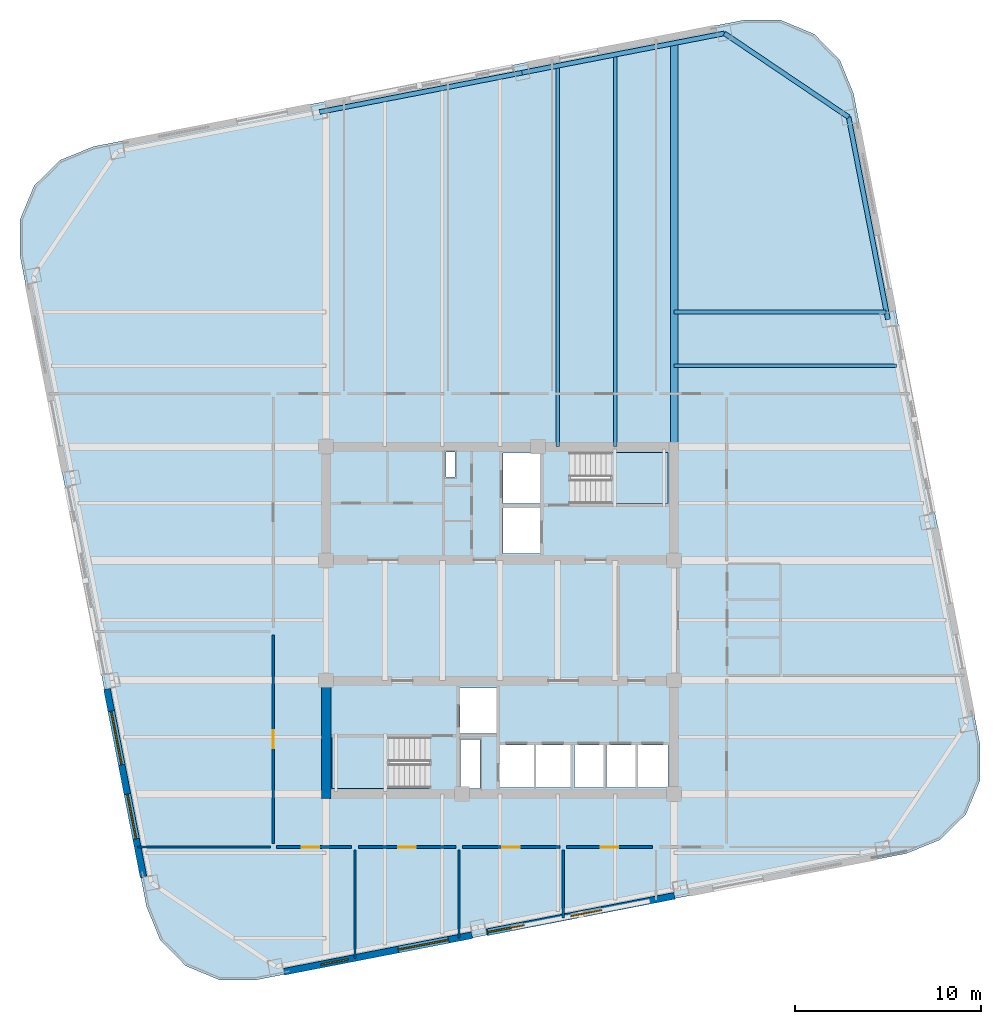
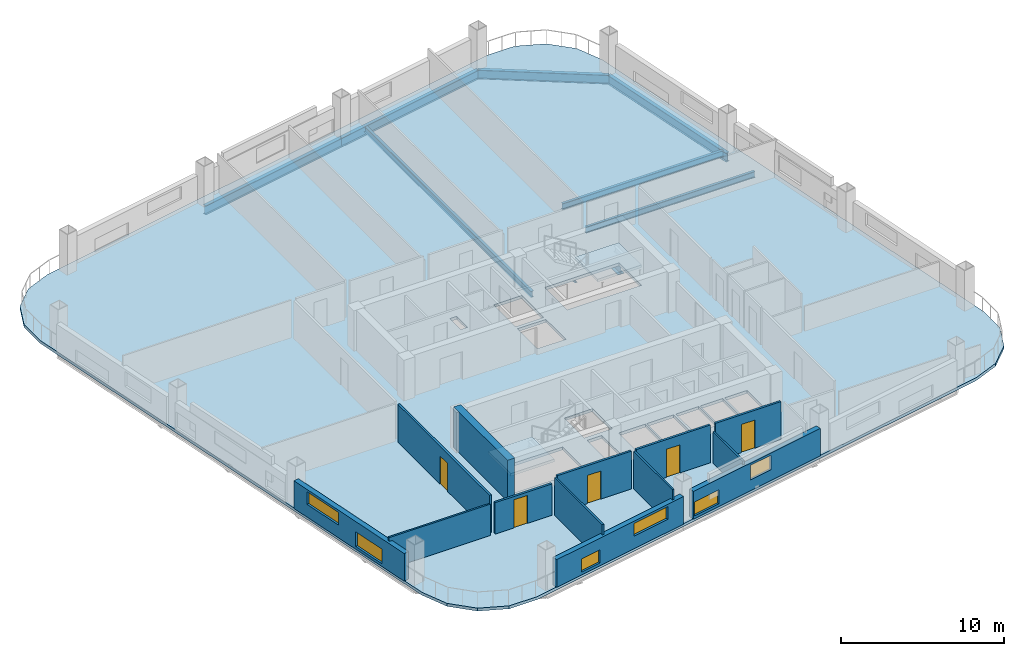
# One storey, part 2 of 9: 13 walls, 9 beams, 6 windows, 5 doors, 3 slabs, 11 openings, 2 elements without a shape of their own.
"""IFC4 building model written with IfcOpenShell, lengths in metres."""

from ifc_helpers import new_model, si_unit, direction, frame, frame_2d, origin, origin_2d, place, context, subcontext, project, spatial, polyline, rectangle, i_section, outline, extrude, material, layer, layer_set, material_profile, profile_set, type_object, element, fill, aggregate, save


model = new_model("IFC4")

# Units and contexts
model_context = context("Model", 3, precision=1e-05, world=origin(), true_north=direction((0.0, 1.0)))
body_context = subcontext(model_context, "Body", "Model", "MODEL_VIEW")
ifc_project = project(units=[si_unit("LENGTHUNIT", "METRE"), si_unit("AREAUNIT", "SQUARE_METRE"), si_unit("VOLUMEUNIT", "CUBIC_METRE"), si_unit("PLANEANGLEUNIT", "RADIAN"), si_unit("MASSUNIT", "GRAM", prefix="KILO")], contexts=[model_context])

# Site, building, storey
site_placement = place(None, origin())
site = spatial("IfcSite", under=ifc_project, at=site_placement, CompositionType="ELEMENT")
building_placement = place(site_placement, origin())
building = spatial("IfcBuilding", under=site, at=building_placement, Name="Qhalaya Broadcast Tower", CompositionType="ELEMENT")
storey_placement = place(building_placement, frame((0.0, 0.0, 121.949951171875)))
storey = spatial("IfcBuildingStorey", under=building, at=storey_placement, Name="L35", CompositionType="ELEMENT", Elevation=121.949951171875)

# Beams
ifc_material_1 = material(Name="Structural Steel ASTM A992 Grade 50", Category="steel")
ifc_material_profile_1 = material_profile(ifc_material_1, i_section(OverallWidth=0.19189453125, OverallDepth=0.462890625, WebThickness=0.010498046875, FlangeThickness=0.017578125, at=origin_2d()), Name="W18X60")
ifc_profile_set_1 = profile_set([ifc_material_profile_1], Name="Structural Steel ASTM A992 Grade 50")
beam_type_1 = type_object("IfcBeamType", Name="Composite Floor Joist J03", PredefinedType="JOIST", material=ifc_profile_set_1)
beam_1_placement = place(storey_placement, frame((3.10009765625, 9.949951171875, -0.451416015625), z_axis=(0.0, 1.0, 0.0), x_axis=(-1.0, 0.0, 0.0)))
element("IfcBeam", 1, at=beam_1_placement, inside=storey, type_object=beam_type_1, Name="L35 J03 L35-JNN4-1", PredefinedType="JOIST", context=body_context, shape_type="SweptSolid", body=[
    extrude(i_section(OverallWidth=0.19189453125, OverallDepth=0.462890625, WebThickness=0.010498046875, FlangeThickness=0.017578125, at=origin_2d()), origin(), (0.0, 0.0, 1.0), 20.480712890625),
])
beam_2_placement = place(storey_placement, frame((6.199951171875, 9.949951171875, -0.451416015625), z_axis=(0.0, 1.0, 0.0), x_axis=(-1.0, 0.0, 0.0)))
element("IfcBeam", 2, at=beam_2_placement, inside=storey, type_object=beam_type_1, Name="L35 J03 L35-JNN5-1", PredefinedType="JOIST", context=body_context, shape_type="SweptSolid", body=[
    extrude(i_section(OverallWidth=0.19189453125, OverallDepth=0.462890625, WebThickness=0.010498046875, FlangeThickness=0.017578125, at=origin_2d()), origin(), (0.0, 0.0, 1.0), 21.083251953125),
])
beam_3_placement = place(storey_placement, frame((9.375, 14.300048828125, -0.451416015625), z_axis=(1.0, 0.0, 0.0), x_axis=(0.0, 1.0, 0.0)))
element("IfcBeam", 3, at=beam_3_placement, inside=storey, type_object=beam_type_1, Name="L35 J03 L35-JWE6E-1", PredefinedType="JOIST", context=body_context, shape_type="SweptSolid", body=[
    extrude(i_section(OverallWidth=0.19189453125, OverallDepth=0.462890625, WebThickness=0.010498046875, FlangeThickness=0.017578125, at=origin_2d()), origin(), (0.0, 0.0, 1.0), 11.969482421875),
])
beam_4_placement = place(storey_placement, frame((9.375, 17.199951171875, -0.451416015625), z_axis=(1.0, 0.0, 0.0), x_axis=(0.0, 1.0, 0.0)))
element("IfcBeam", 4, at=beam_4_placement, inside=storey, type_object=beam_type_1, Name="L35 J03 L35-JWE7E-1", PredefinedType="JOIST", context=body_context, shape_type="SweptSolid", body=[
    extrude(i_section(OverallWidth=0.19189453125, OverallDepth=0.462890625, WebThickness=0.010498046875, FlangeThickness=0.017578125, at=origin_2d()), origin(), (0.0, 0.0, 1.0), 11.40576171875),
])
ifc_material_profile_2 = material_profile(ifc_material_1, i_section(OverallWidth=0.4189453125, OverallDepth=0.927001953125, WebThickness=0.019287109375, FlangeThickness=0.031982421875, at=origin_2d()), Name="W36X231")
ifc_profile_set_2 = profile_set([ifc_material_profile_2], Name="Structural Steel ASTM A992 Grade 50")
beam_type_2 = type_object("IfcBeamType", Name="Mid Block Primary Girder PG3", PredefinedType="USERDEFINED", material=ifc_profile_set_2)
beam_5_placement = place(storey_placement, frame((9.375, 9.949951171875, -0.683349609375), z_axis=(0.0, 1.0, 0.0), x_axis=(-1.0, 0.0, 0.0)))
element("IfcBeam", 5, at=beam_5_placement, inside=storey, type_object=beam_type_2, Name="L35 PG3 L35-PGXN2-1", ObjectType="GIRDER", PredefinedType="USERDEFINED", context=body_context, shape_type="SweptSolid", body=[
    extrude(i_section(OverallWidth=0.4189453125, OverallDepth=0.927001953125, WebThickness=0.019287109375, FlangeThickness=0.031982421875, at=origin_2d()), origin(), (0.0, 0.0, 1.0), 21.7001953125),
])
ifc_material_profile_3 = material_profile(ifc_material_1, i_section(OverallWidth=0.25390625, OverallDepth=0.68310546875, WebThickness=0.012451171875, FlangeThickness=0.01904296875, at=origin_2d()), Name="W27X94")
ifc_profile_set_3 = profile_set([ifc_material_profile_3], Name="Structural Steel ASTM A992 Grade 50")
beam_type_3 = type_object("IfcBeamType", Name="Perimeter Ring Spandrel Beam SP1", PredefinedType="SPANDREL", material=ifc_profile_set_3)
beam_6_placement = place(storey_placement, frame((20.88037109375, 16.79248046875, -0.5615234375), z_axis=(-0.190800781233, 0.98162878008, 0.0), x_axis=(-0.98162878008, -0.190800781233, 0.0)))
element("IfcBeam", 6, at=beam_6_placement, inside=storey, type_object=beam_type_3, Name="L35 SP1 L35-SPR-07", PredefinedType="SPANDREL", context=body_context, shape_type="SweptSolid", body=[
    extrude(i_section(OverallWidth=0.25390625, OverallDepth=0.68310546875, WebThickness=0.012451171875, FlangeThickness=0.01904296875, at=origin_2d()), origin(), (0.0, 0.0, 1.0), 11.10009765625),
])
beam_7_placement = place(storey_placement, frame((18.762451171875, 27.688720703125, -0.5615234375), z_axis=(-0.829042088473, 0.559186208288, 0.0), x_axis=(-0.559186208288, -0.829042088473, 0.0)))
element("IfcBeam", 7, at=beam_7_placement, inside=storey, type_object=beam_type_3, Name="L35 SP1 L35-SPR-08", PredefinedType="SPANDREL", context=body_context, shape_type="SweptSolid", body=[
    extrude(i_section(OverallWidth=0.25390625, OverallDepth=0.68310546875, WebThickness=0.012451171875, FlangeThickness=0.01904296875, at=origin_2d()), origin(), (0.0, 0.0, 1.0), 8.06103515625),
])
beam_8_placement = place(storey_placement, frame((12.07958984375, 32.1962890625, -0.5615234375), z_axis=(-0.98162878008, -0.190800781233, 0.0), x_axis=(0.190800781233, -0.98162878008, 0.0)))
element("IfcBeam", 8, at=beam_8_placement, inside=storey, type_object=beam_type_3, Name="L35 SP1 L35-SPR-09", PredefinedType="SPANDREL", context=body_context, shape_type="SweptSolid", body=[
    extrude(i_section(OverallWidth=0.25390625, OverallDepth=0.68310546875, WebThickness=0.012451171875, FlangeThickness=0.01904296875, at=origin_2d()), origin(), (0.0, 0.0, 1.0), 11.10009765625),
])
beam_9_placement = place(storey_placement, frame((1.183349609375, 30.078369140625, -0.5615234375), z_axis=(-0.981627979352, -0.190804900759, 0.0), x_axis=(0.190804900759, -0.981627979352, 0.0)))
element("IfcBeam", 9, at=beam_9_placement, inside=storey, type_object=beam_type_3, Name="L35 SP1 L35-SPR-10", PredefinedType="SPANDREL", context=body_context, shape_type="SweptSolid", body=[
    extrude(i_section(OverallWidth=0.25390625, OverallDepth=0.68310546875, WebThickness=0.012451171875, FlangeThickness=0.01904296875, at=origin_2d()), origin(), (0.0, 0.0, 1.0), 11.099853515625),
])

# Stair, slab
ifc_material_2 = material(Name="Concrete C40/50", Category="concrete")
stair_type = type_object("IfcStairType", Name="Protected Dogleg Core Stair 3150", PredefinedType="TWO_STRAIGHT_RUN_STAIR", material=ifc_material_2)
stair_1_placement = place(storey_placement, origin())
stair_1 = element("IfcStair", 10, at=stair_1_placement, inside=storey, type_object=stair_type, Name="L35 North Core Exit Stair ST-1", PredefinedType="TWO_STRAIGHT_RUN_STAIR")
ifc_layer_1 = layer(ifc_material_2, 0.199951171875, Name="Concrete C40/50")
ifc_layer_set_1 = layer_set([ifc_layer_1], Name="Concrete C40/50")
slab_type_1 = type_object("IfcSlabType", Name="Stair & Ramp Half-Landing Slab 200", PredefinedType="LANDING", material=ifc_layer_set_1)
slab_1_placement = place(storey_placement, frame((0.0, 0.0, 1.324951171875)))
slab_1 = element("IfcSlab", 11, at=slab_1_placement, type_object=slab_type_1, Name="ST-1 landing 1", PredefinedType="LANDING", context=body_context, shape_type="SweptSolid", body=[
    extrude(outline(polyline([(5.955078125, 6.8798828125), (9.050048828125, 6.8798828125), (9.050048828125, 9.639892578125), (5.955078125, 9.639892578125), (5.955078125, 6.8798828125)])), origin(), (0.0, 0.0, 1.0), 0.2001953125),
])
aggregate(stair_1, [slab_1])

stair_2_placement = place(storey_placement, origin())
stair_2 = element("IfcStair", 12, at=stair_2_placement, inside=storey, type_object=stair_type, Name="L35 South Core Exit Stair ST-2", PredefinedType="TWO_STRAIGHT_RUN_STAIR")
slab_2_placement = place(storey_placement, frame((0.0, 0.0, 1.324951171875)))
slab_2 = element("IfcSlab", 13, at=slab_2_placement, type_object=slab_type_1, Name="ST-2 landing 1", PredefinedType="LANDING", context=body_context, shape_type="SweptSolid", body=[
    extrude(outline(polyline([(-5.955078125, -5.679931640625), (-9.050048828125, -5.679931640625), (-9.050048828125, -8.43994140625), (-5.955078125, -8.43994140625), (-5.955078125, -5.679931640625)])), origin(), (0.0, 0.0, 1.0), 0.2001953125),
])
aggregate(stair_2, [slab_2])

# Slab
ifc_layer_2 = layer(ifc_material_2, 0.219970703125, Name="Concrete C40/50")
ifc_layer_set_2 = layer_set([ifc_layer_2], Name="Concrete C40/50")
slab_type_2 = type_object("IfcSlabType", Name="Tower Composite Floor Slab 220", PredefinedType="FLOOR", material=ifc_layer_set_2)
slab_3_placement = place(storey_placement, frame((0.0, 0.0, -0.219970703125)))
element("IfcSlab", 14, at=slab_3_placement, inside=storey, type_object=slab_type_2, Name="L35 Main Structural Floor Slab", PredefinedType="FLOOR", context=body_context, shape_type="SweptSolid", body=[
    extrude(outline(polyline([(21.882080078125, -11.944091796875), (23.687744140625, -11.20556640625), (25.0732421875, -9.83203125), (25.82763671875, -8.032958984375), (25.836181640625, -6.08203125), (19.024169921875, 28.9619140625), (18.285400390625, 30.767578125), (16.912109375, 32.1533203125), (15.11279296875, 32.90771484375), (13.162109375, 32.916015625), (-21.882080078125, 26.104248046875), (-23.687744140625, 25.365478515625), (-25.0732421875, 23.9921875), (-25.82763671875, 22.19287109375), (-25.836181640625, 20.2421875), (-19.024169921875, -14.802001953125), (-18.285400390625, -16.607666015625), (-16.912109375, -17.9931640625), (-15.11279296875, -18.74755859375), (-13.162109375, -18.756103515625), (21.882080078125, -11.944091796875)]), holes=[polyline([(3.784912109375, 9.639892578125), (9.050048828125, 9.639892578125), (9.050048828125, 6.8798828125), (3.784912109375, 6.8798828125), (3.784912109375, 9.639892578125)]), polyline([(-3.784912109375, -8.43994140625), (-9.050048828125, -8.43994140625), (-9.050048828125, -5.679931640625), (-3.784912109375, -5.679931640625), (-3.784912109375, -8.43994140625)]), polyline([(0.14990234375, 6.64990234375), (2.14990234375, 6.64990234375), (2.14990234375, 4.199951171875), (0.14990234375, 4.199951171875), (0.14990234375, 6.64990234375)]), polyline([(0.14990234375, 9.60009765625), (2.14990234375, 9.60009765625), (2.14990234375, 6.89990234375), (0.14990234375, 6.89990234375), (0.14990234375, 9.60009765625)]), polyline([(-2.14990234375, -3.050048828125), (-0.14990234375, -3.050048828125), (-0.14990234375, -5.5), (-2.14990234375, -5.5), (-2.14990234375, -3.050048828125)]), polyline([(-0.050048828125, -6.10009765625), (1.830078125, -6.10009765625), (1.830078125, -8.39990234375), (-0.050048828125, -8.39990234375), (-0.050048828125, -6.10009765625)]), polyline([(1.949951171875, -6.10009765625), (3.830078125, -6.10009765625), (3.830078125, -8.39990234375), (1.949951171875, -8.39990234375), (1.949951171875, -6.10009765625)]), polyline([(4.0, -6.10009765625), (5.60009765625, -6.10009765625), (5.60009765625, -8.39990234375), (4.0, -8.39990234375), (4.0, -6.10009765625)]), polyline([(5.719970703125, -6.10009765625), (7.320068359375, -6.10009765625), (7.320068359375, -8.39990234375), (5.719970703125, -8.39990234375), (5.719970703125, -6.10009765625)]), polyline([(7.43994140625, -6.10009765625), (9.0400390625, -6.10009765625), (9.0400390625, -8.39990234375), (7.43994140625, -8.39990234375), (7.43994140625, -6.10009765625)]), polyline([(-2.919921875, 9.659912109375), (-2.419921875, 9.659912109375), (-2.419921875, 8.320068359375), (-2.919921875, 8.320068359375), (-2.919921875, 9.659912109375)]), polyline([(-2.1201171875, -5.820068359375), (-1.080078125, -5.820068359375), (-1.080078125, -8.4599609375), (-2.1201171875, -8.4599609375), (-2.1201171875, -5.820068359375)])]), origin(), (0.0, 0.0, 1.0), 0.219970703125),
])

# Wall, opening, door
ifc_material_3 = material(Name="Gypsum Acoustic Partition")
ifc_layer_3 = layer(ifc_material_3, 0.14990234375, Name="Gypsum Acoustic Partition")
ifc_layer_set_3 = layer_set([ifc_layer_3], Name="Gypsum Acoustic Partition")
wall_type_1 = type_object("IfcWallType", Name="Corridor & Tenancy Acoustic Partition 150", PredefinedType="PARTITIONING", material=ifc_layer_set_3)
wall_1_placement = place(storey_placement, frame((-12.02001953125, -11.60009765625, 0.0), z_axis=(0.0, 0.0, 1.0), x_axis=(1.0, 0.0, 0.0)))
wall_1 = element("IfcWall", 15, at=wall_1_placement, inside=storey, type_object=wall_type_1, Name="L35 Partition Wall W-COR-06", PredefinedType="PARTITIONING", context=body_context, shape_type="SweptSolid", body=[
    extrude(rectangle(XDim=4.0400390625, YDim=0.14990234375, at=frame_2d((2.02001953125, 0.0))), origin(), (0.0, 0.0, 1.0), 2.34716796875),
])
opening_1_placement = place(wall_1_placement, frame((1.344970703125, 0.0, 0.0)))
opening_1 = element("IfcOpeningElement", 16, at=opening_1_placement, cuts=wall_1, Name="Opening D10", PredefinedType="OPENING", context=body_context, shape_type="SweptSolid", body=[
    extrude(rectangle(XDim=0.949951171875, YDim=2.10009765625, at=frame_2d((0.47509765625, 1.050048828125))), frame((0.0, 0.0869140625, 0.0), z_axis=(0.0, -1.0, 0.0), x_axis=(1.0, 0.0, 0.0)), (0.0, 0.0, 1.0), 0.173828125),
])
ifc_material_4 = material(Name="Timber Veneer Acoustic Door", Category="wood")
door_type = type_object("IfcDoorType", Name="Cellular Office & Edit Booth Door D10", OperationType="NOTDEFINED", PredefinedType="DOOR", material=ifc_material_4)
door_1_placement = place(opening_1_placement, origin())
door_1 = element("IfcDoor", 17, at=door_1_placement, inside=storey, type_object=door_type, Name="L35 Door D-RM06", OperationType="SINGLE_SWING_RIGHT", OverallHeight=2.10009765625, OverallWidth=0.949951171875, PredefinedType="DOOR", context=body_context, shape_type="SweptSolid", body=[
    extrude(rectangle(XDim=0.949951171875, YDim=2.10009765625, at=frame_2d((0.47509765625, 1.050048828125))), frame((0.0, 0.02490234375, 0.0), z_axis=(0.0, -1.0, 0.0), x_axis=(1.0, 0.0, 0.0)), (0.0, 0.0, 1.0), 0.050048828125),
])
fill(opening_1, door_1)

wall_2_placement = place(storey_placement, frame((-7.6201171875, -11.60009765625, 0.0), z_axis=(0.0, 0.0, 1.0), x_axis=(1.0, 0.0, 0.0)))
wall_2 = element("IfcWall", 18, at=wall_2_placement, inside=storey, type_object=wall_type_1, Name="L35 Partition Wall W-COR-07", PredefinedType="PARTITIONING", context=body_context, shape_type="SweptSolid", body=[
    extrude(rectangle(XDim=5.240234375, YDim=0.14990234375, at=frame_2d((2.6201171875, 0.0))), origin(), (0.0, 0.0, 1.0), 2.830078125),
])
opening_2_placement = place(wall_2_placement, frame((2.14501953125, 0.0, 0.0)))
opening_2 = element("IfcOpeningElement", 19, at=opening_2_placement, cuts=wall_2, Name="Opening D10", PredefinedType="OPENING", context=body_context, shape_type="SweptSolid", body=[
    extrude(rectangle(XDim=0.949951171875, YDim=2.10009765625, at=frame_2d((0.47509765625, 1.050048828125))), frame((0.0, 0.0869140625, 0.0), z_axis=(0.0, -1.0, 0.0), x_axis=(1.0, 0.0, 0.0)), (0.0, 0.0, 1.0), 0.173828125),
])
door_2_placement = place(opening_2_placement, origin())
door_2 = element("IfcDoor", 20, at=door_2_placement, inside=storey, type_object=door_type, Name="L35 Door D-RM07", OperationType="SINGLE_SWING_LEFT", OverallHeight=2.10009765625, OverallWidth=0.949951171875, PredefinedType="DOOR", context=body_context, shape_type="SweptSolid", body=[
    extrude(rectangle(XDim=0.949951171875, YDim=2.10009765625, at=frame_2d((0.47509765625, 1.050048828125))), frame((0.0, 0.02490234375, 0.0), z_axis=(0.0, -1.0, 0.0), x_axis=(1.0, 0.0, 0.0)), (0.0, 0.0, 1.0), 0.050048828125),
])
fill(opening_2, door_2)

wall_3_placement = place(storey_placement, frame((-2.02001953125, -11.60009765625, 0.0), z_axis=(0.0, 0.0, 1.0), x_axis=(1.0, 0.0, 0.0)))
wall_3 = element("IfcWall", 21, at=wall_3_placement, inside=storey, type_object=wall_type_1, Name="L35 Partition Wall W-COR-08", PredefinedType="PARTITIONING", context=body_context, shape_type="SweptSolid", body=[
    extrude(rectangle(XDim=5.239990234375, YDim=0.14990234375, at=frame_2d((2.6201171875, 0.0))), origin(), (0.0, 0.0, 1.0), 2.830078125),
])
opening_3_placement = place(wall_3_placement, frame((2.14501953125, 0.0, 0.0)))
opening_3 = element("IfcOpeningElement", 22, at=opening_3_placement, cuts=wall_3, Name="Opening D10", PredefinedType="OPENING", context=body_context, shape_type="SweptSolid", body=[
    extrude(rectangle(XDim=0.949951171875, YDim=2.10009765625, at=frame_2d((0.47509765625, 1.050048828125))), frame((0.0, 0.0869140625, 0.0), z_axis=(0.0, -1.0, 0.0), x_axis=(1.0, 0.0, 0.0)), (0.0, 0.0, 1.0), 0.173828125),
])
door_3_placement = place(opening_3_placement, origin())
door_3 = element("IfcDoor", 23, at=door_3_placement, inside=storey, type_object=door_type, Name="L35 Door D-RM08", OperationType="SINGLE_SWING_RIGHT", OverallHeight=2.10009765625, OverallWidth=0.949951171875, PredefinedType="DOOR", context=body_context, shape_type="SweptSolid", body=[
    extrude(rectangle(XDim=0.949951171875, YDim=2.10009765625, at=frame_2d((0.47509765625, 1.050048828125))), frame((0.0, 0.02490234375, 0.0), z_axis=(0.0, -1.0, 0.0), x_axis=(1.0, 0.0, 0.0)), (0.0, 0.0, 1.0), 0.050048828125),
])
fill(opening_3, door_3)

wall_4_placement = place(storey_placement, frame((3.580078125, -11.60009765625, 0.0), z_axis=(0.0, 0.0, 1.0), x_axis=(1.0, 0.0, 0.0)))
wall_4 = element("IfcWall", 24, at=wall_4_placement, inside=storey, type_object=wall_type_1, Name="L35 Partition Wall W-COR-09", PredefinedType="PARTITIONING", context=body_context, shape_type="SweptSolid", body=[
    extrude(rectangle(XDim=4.639892578125, YDim=0.14990234375, at=frame_2d((2.31982421875, 0.0))), origin(), (0.0, 0.0, 1.0), 2.830078125),
])
opening_4_placement = place(wall_4_placement, frame((1.844970703125, 0.0, 0.0)))
opening_4 = element("IfcOpeningElement", 25, at=opening_4_placement, cuts=wall_4, Name="Opening D10", PredefinedType="OPENING", context=body_context, shape_type="SweptSolid", body=[
    extrude(rectangle(XDim=0.949951171875, YDim=2.10009765625, at=frame_2d((0.47509765625, 1.050048828125))), frame((0.0, 0.0869140625, 0.0), z_axis=(0.0, -1.0, 0.0), x_axis=(1.0, 0.0, 0.0)), (0.0, 0.0, 1.0), 0.173828125),
])
door_4_placement = place(opening_4_placement, origin())
door_4 = element("IfcDoor", 26, at=door_4_placement, inside=storey, type_object=door_type, Name="L35 Door D-RM09", OperationType="SINGLE_SWING_LEFT", OverallHeight=2.10009765625, OverallWidth=0.949951171875, PredefinedType="DOOR", context=body_context, shape_type="SweptSolid", body=[
    extrude(rectangle(XDim=0.949951171875, YDim=2.10009765625, at=frame_2d((0.47509765625, 1.050048828125))), frame((0.0, 0.02490234375, 0.0), z_axis=(0.0, -1.0, 0.0), x_axis=(1.0, 0.0, 0.0)), (0.0, 0.0, 1.0), 0.050048828125),
])
fill(opening_4, door_4)

wall_5_placement = place(storey_placement, frame((-12.199951171875, -11.419921875, 0.0), z_axis=(0.0, 0.0, 1.0), x_axis=(0.0, 1.0, 0.0)))
wall_5 = element("IfcWall", 27, at=wall_5_placement, inside=storey, type_object=wall_type_1, Name="L35 Partition Wall W-COR-11", PredefinedType="PARTITIONING", context=body_context, shape_type="SweptSolid", body=[
    extrude(rectangle(XDim=11.239990234375, YDim=0.14990234375, at=frame_2d((5.6201171875, 0.0))), origin(), (0.0, 0.0, 1.0), 2.830078125),
])
opening_5_placement = place(wall_5_placement, frame((5.14501953125, 0.0, 0.0)))
opening_5 = element("IfcOpeningElement", 28, at=opening_5_placement, cuts=wall_5, Name="Opening D10", PredefinedType="OPENING", context=body_context, shape_type="SweptSolid", body=[
    extrude(rectangle(XDim=0.949951171875, YDim=2.10009765625, at=frame_2d((0.47509765625, 1.050048828125))), frame((0.0, 0.0869140625, 0.0), z_axis=(0.0, -1.0, 0.0), x_axis=(1.0, 0.0, 0.0)), (0.0, 0.0, 1.0), 0.173828125),
])
door_5_placement = place(opening_5_placement, origin())
door_5 = element("IfcDoor", 29, at=door_5_placement, inside=storey, type_object=door_type, Name="L35 Door D-RM11", OperationType="SINGLE_SWING_LEFT", OverallHeight=2.10009765625, OverallWidth=0.949951171875, PredefinedType="DOOR", context=body_context, shape_type="SweptSolid", body=[
    extrude(rectangle(XDim=0.949951171875, YDim=2.10009765625, at=frame_2d((0.47509765625, 1.050048828125))), frame((0.0, 0.02490234375, 0.0), z_axis=(0.0, -1.0, 0.0), x_axis=(1.0, 0.0, 0.0)), (0.0, 0.0, 1.0), 0.050048828125),
])
fill(opening_5, door_5)

# Wall, openings, windows
ifc_material_5 = material(Name="Precast Concrete C40/50", Category="concrete")
ifc_layer_4 = layer(ifc_material_5, 0.360107421875, Name="Precast Concrete C40/50")
ifc_layer_set_4 = layer_set([ifc_layer_4], Name="Precast Concrete C40/50")
wall_type_2 = type_object("IfcWallType", Name="Insulated Precast Terracotta Exterior Wall 360", PredefinedType="SOLIDWALL", material=ifc_layer_set_4)
wall_6_placement = place(storey_placement, frame((9.388671875, -14.22998046875, 0.0), z_axis=(0.0, 0.0, 1.0), x_axis=(-0.981627477005, -0.190807485147, 0.0)))
wall_6 = element("IfcWall", 30, at=wall_6_placement, inside=storey, type_object=wall_type_2, Name="L35 Exoskeleton Diagrid Infill Wall S2", PredefinedType="SOLIDWALL", context=body_context, shape_type="SweptSolid", body=[
    extrude(rectangle(XDim=10.300048828125, YDim=0.360107421875, at=frame_2d((5.14990234375, 0.0))), origin(), (0.0, 0.0, 1.0), 2.067138671875),
])
opening_6_placement = place(wall_6_placement, frame((3.988037109375, 0.0, 0.800048828125)))
opening_6 = element("IfcOpeningElement", 31, at=opening_6_placement, cuts=wall_6, Name="Opening W11", PredefinedType="OPENING", context=body_context, shape_type="SweptSolid", body=[
    extrude(rectangle(XDim=1.699951171875, YDim=1.10009765625, at=frame_2d((0.85009765625, 0.550048828125))), frame((0.0, 0.192138671875, 0.0), z_axis=(0.0, -1.0, 0.0), x_axis=(1.0, 0.0, 0.0)), (0.0, 0.0, 1.0), 0.384033203125),
])
opening_7_placement = place(wall_6_placement, frame((8.238037109375, 0.0, 0.199951171875)))
opening_7 = element("IfcOpeningElement", 32, at=opening_7_placement, cuts=wall_6, Name="Opening W11", PredefinedType="OPENING", context=body_context, shape_type="SweptSolid", body=[
    extrude(rectangle(XDim=2.0, YDim=1.050048828125, at=frame_2d((1.0, 0.52490234375))), frame((0.0, 0.192138671875, 0.0), z_axis=(0.0, -1.0, 0.0), x_axis=(1.0, 0.0, 0.0)), (0.0, 0.0, 1.0), 0.384033203125),
])
ifc_material_6 = material(Name="Solar-Control Low-E Triple Glazing", Category="glass")
window_type = type_object("IfcWindowType", Name="Odd-Block Diagrid Infill Window W11", PartitioningType="SINGLE_PANEL", PredefinedType="WINDOW", material=ifc_material_6)
window_1_placement = place(opening_6_placement, origin())
window_1 = element("IfcWindow", 33, at=window_1_placement, inside=storey, type_object=window_type, Name="L35 Diagrid Infill Window W11-S3", OverallHeight=1.10009765625, OverallWidth=1.699951171875, PartitioningType="SINGLE_PANEL", PredefinedType="WINDOW", context=body_context, shape_type="SweptSolid", body=[
    extrude(rectangle(XDim=1.699951171875, YDim=1.10009765625, at=frame_2d((0.85009765625, 0.550048828125))), frame((0.0, 0.030029296875, 0.0), z_axis=(0.0, -1.0, 0.0), x_axis=(1.0, 0.0, 0.0)), (0.0, 0.0, 1.0), 0.06005859375),
])
fill(opening_6, window_1)
window_2_placement = place(opening_7_placement, origin())
window_2 = element("IfcWindow", 34, at=window_2_placement, inside=storey, type_object=window_type, Name="L35 Diagrid Infill Window W11-S4", OverallHeight=1.050048828125, OverallWidth=2.0, PartitioningType="SINGLE_PANEL", PredefinedType="WINDOW", context=body_context, shape_type="SweptSolid", body=[
    extrude(rectangle(XDim=2.0, YDim=1.050048828125, at=frame_2d((1.0, 0.52490234375))), frame((0.0, 0.030029296875, 0.0), z_axis=(0.0, -1.0, 0.0), x_axis=(1.0, 0.0, 0.0)), (0.0, 0.0, 1.0), 0.06005859375),
])
fill(opening_7, window_2)

wall_7_placement = place(storey_placement, frame((-1.50732421875, -16.34814453125, 0.0), z_axis=(0.0, 0.0, 1.0), x_axis=(-0.981628941133, -0.190799952646, 0.0)))
wall_7 = element("IfcWall", 35, at=wall_7_placement, inside=storey, type_object=wall_type_2, Name="L35 Exoskeleton Diagrid Infill Wall S3", PredefinedType="SOLIDWALL", context=body_context, shape_type="SweptSolid", body=[
    extrude(rectangle(XDim=10.31201171875, YDim=0.360107421875, at=frame_2d((5.156005859375, 0.0))), origin(), (0.0, 0.0, 1.0), 2.067138671875),
])
opening_8_placement = place(wall_7_placement, frame((1.2880859375, 0.0, 0.949951171875)))
opening_8 = element("IfcOpeningElement", 36, at=opening_8_placement, cuts=wall_7, Name="Opening W11", PredefinedType="OPENING", context=body_context, shape_type="SweptSolid", body=[
    extrude(rectangle(XDim=2.75, YDim=0.949951171875, at=frame_2d((1.375, 0.47509765625))), frame((0.0, 0.192138671875, 0.0), z_axis=(0.0, -1.0, 0.0), x_axis=(1.0, 0.0, 0.0)), (0.0, 0.0, 1.0), 0.384033203125),
])
opening_9_placement = place(wall_7_placement, frame((6.7880859375, 0.0, 0.199951171875)))
opening_9 = element("IfcOpeningElement", 37, at=opening_9_placement, cuts=wall_7, Name="Opening W11", PredefinedType="OPENING", context=body_context, shape_type="SweptSolid", body=[
    extrude(rectangle(XDim=1.5, YDim=1.0, at=frame_2d((0.75, 0.5))), frame((0.0, 0.192138671875, 0.0), z_axis=(0.0, -1.0, 0.0), x_axis=(1.0, 0.0, 0.0)), (0.0, 0.0, 1.0), 0.384033203125),
])
window_3_placement = place(opening_8_placement, origin())
window_3 = element("IfcWindow", 38, at=window_3_placement, inside=storey, type_object=window_type, Name="L35 Diagrid Infill Window W11-S5", OverallHeight=0.949951171875, OverallWidth=2.75, PartitioningType="SINGLE_PANEL", PredefinedType="WINDOW", context=body_context, shape_type="SweptSolid", body=[
    extrude(rectangle(XDim=2.75, YDim=0.949951171875, at=frame_2d((1.375, 0.47509765625))), frame((0.0, 0.030029296875, 0.0), z_axis=(0.0, -1.0, 0.0), x_axis=(1.0, 0.0, 0.0)), (0.0, 0.0, 1.0), 0.06005859375),
])
fill(opening_8, window_3)
window_4_placement = place(opening_9_placement, origin())
window_4 = element("IfcWindow", 39, at=window_4_placement, inside=storey, type_object=window_type, Name="L35 Diagrid Infill Window W11-S6", OverallHeight=1.0, OverallWidth=1.5, PartitioningType="SINGLE_PANEL", PredefinedType="WINDOW", context=body_context, shape_type="SweptSolid", body=[
    extrude(rectangle(XDim=1.5, YDim=1.0, at=frame_2d((0.75, 0.5))), frame((0.0, 0.030029296875, 0.0), z_axis=(0.0, -1.0, 0.0), x_axis=(1.0, 0.0, 0.0)), (0.0, 0.0, 1.0), 0.06005859375),
])
fill(opening_9, window_4)

wall_8_placement = place(storey_placement, frame((-19.189697265625, -13.216552734375, 0.0), z_axis=(0.0, 0.0, 1.0), x_axis=(-0.190822765986, 0.981624506612, 0.0)))
wall_8 = element("IfcWall", 40, at=wall_8_placement, inside=storey, type_object=wall_type_2, Name="L35 Exoskeleton Diagrid Infill Wall W1", PredefinedType="SOLIDWALL", context=body_context, shape_type="SweptSolid", body=[
    extrude(rectangle(XDim=10.31201171875, YDim=0.360107421875, at=frame_2d((5.156005859375, 0.0))), origin(), (0.0, 0.0, 1.0), 2.067138671875),
])
opening_10_placement = place(wall_8_placement, frame((2.10009765625, 0.0, 0.199951171875)))
opening_10 = element("IfcOpeningElement", 41, at=opening_10_placement, cuts=wall_8, Name="Opening W11", PredefinedType="OPENING", context=body_context, shape_type="SweptSolid", body=[
    extrude(rectangle(XDim=2.449951171875, YDim=1.10009765625, at=frame_2d((1.22509765625, 0.550048828125))), frame((0.0, 0.192138671875, 0.0), z_axis=(0.0, -1.0, 0.0), x_axis=(1.0, 0.0, 0.0)), (0.0, 0.0, 1.0), 0.384033203125),
])
opening_11_placement = place(wall_8_placement, frame((6.14990234375, 0.0, 0.949951171875)))
opening_11 = element("IfcOpeningElement", 42, at=opening_11_placement, cuts=wall_8, Name="Opening W11", PredefinedType="OPENING", context=body_context, shape_type="SweptSolid", body=[
    extrude(rectangle(XDim=2.949951171875, YDim=0.949951171875, at=frame_2d((1.47509765625, 0.47509765625))), frame((0.0, 0.192138671875, 0.0), z_axis=(0.0, -1.0, 0.0), x_axis=(1.0, 0.0, 0.0)), (0.0, 0.0, 1.0), 0.384033203125),
])
window_5_placement = place(opening_10_placement, origin())
window_5 = element("IfcWindow", 43, at=window_5_placement, inside=storey, type_object=window_type, Name="L35 Diagrid Infill Window W11-W1", OverallHeight=1.10009765625, OverallWidth=2.449951171875, PartitioningType="SINGLE_PANEL", PredefinedType="WINDOW", context=body_context, shape_type="SweptSolid", body=[
    extrude(rectangle(XDim=2.449951171875, YDim=1.10009765625, at=frame_2d((1.22509765625, 0.550048828125))), frame((0.0, 0.030029296875, 0.0), z_axis=(0.0, -1.0, 0.0), x_axis=(1.0, 0.0, 0.0)), (0.0, 0.0, 1.0), 0.06005859375),
])
fill(opening_10, window_5)
window_6_placement = place(opening_11_placement, origin())
window_6 = element("IfcWindow", 44, at=window_6_placement, inside=storey, type_object=window_type, Name="L35 Diagrid Infill Window W11-W2", OverallHeight=0.949951171875, OverallWidth=2.949951171875, PartitioningType="SINGLE_PANEL", PredefinedType="WINDOW", context=body_context, shape_type="SweptSolid", body=[
    extrude(rectangle(XDim=2.949951171875, YDim=0.949951171875, at=frame_2d((1.47509765625, 0.47509765625))), frame((0.0, 0.030029296875, 0.0), z_axis=(0.0, -1.0, 0.0), x_axis=(1.0, 0.0, 0.0)), (0.0, 0.0, 1.0), 0.06005859375),
])
fill(opening_11, window_6)

# Walls
ifc_material_7 = material(Name="Concrete C50/60", Category="concrete")
ifc_layer_5 = layer(ifc_material_7, 0.5, Name="Concrete C50/60")
ifc_layer_set_5 = layer_set([ifc_layer_5], Name="Concrete C50/60")
wall_type_3 = type_object("IfcWallType", Name="Mid Split-Core Shear Wall 500", PredefinedType="SHEAR", material=ifc_layer_set_5)
wall_9_placement = place(storey_placement, frame((-9.35009765625, -9.0, 0.0), z_axis=(0.0, 0.0, 1.0), x_axis=(0.0, 1.0, 0.0)))
element("IfcWall", 45, at=wall_9_placement, inside=storey, type_object=wall_type_3, Name="L35 Split-Core Shear Wall CW-SW", PredefinedType="SHEAR", context=body_context, shape_type="SweptSolid", body=[
    extrude(rectangle(XDim=6.60009765625, YDim=0.5, at=frame_2d((3.300048828125, 0.0))), origin(), (0.0, 0.0, 1.0), 3.050048828125),
])
ifc_layer_6 = layer(ifc_material_3, 0.1201171875, Name="Gypsum Acoustic Partition")
ifc_layer_set_6 = layer_set([ifc_layer_6], Name="Gypsum Acoustic Partition")
wall_type_4 = type_object("IfcWallType", Name="Office, Booth & Sanitary Partition 120", PredefinedType="PARTITIONING", material=ifc_layer_set_6)
wall_10_placement = place(storey_placement, frame((-19.5244140625, -11.60009765625, 0.0), z_axis=(0.0, 0.0, 1.0), x_axis=(1.0, 0.0, 0.0)))
element("IfcWall", 46, at=wall_10_placement, inside=storey, type_object=wall_type_4, Name="L35 Partition Wall W-BNDW2", PredefinedType="PARTITIONING", context=body_context, shape_type="SweptSolid", body=[
    extrude(rectangle(XDim=7.184326171875, YDim=0.1201171875, at=frame_2d((3.59228515625, 0.0))), origin(), (0.0, 0.0, 1.0), 2.34716796875),
])
wall_11_placement = place(storey_placement, frame((-7.800048828125, -17.591552734375, 0.0), z_axis=(0.0, 0.0, 1.0), x_axis=(0.0, 1.0, 0.0)))
element("IfcWall", 47, at=wall_11_placement, inside=storey, type_object=wall_type_4, Name="L35 Partition Wall W-DIVS1", PredefinedType="PARTITIONING", context=body_context, shape_type="SweptSolid", body=[
    extrude(rectangle(XDim=5.83154296875, YDim=0.1201171875, at=frame_2d((2.915771484375, 0.0))), origin(), (0.0, 0.0, 1.0), 2.830078125),
])
wall_12_placement = place(storey_placement, frame((-2.199951171875, -16.5029296875, 0.0), z_axis=(0.0, 0.0, 1.0), x_axis=(0.0, 1.0, 0.0)))
element("IfcWall", 48, at=wall_12_placement, inside=storey, type_object=wall_type_4, Name="L35 Partition Wall W-DIVS2", PredefinedType="PARTITIONING", context=body_context, shape_type="SweptSolid", body=[
    extrude(rectangle(XDim=4.742919921875, YDim=0.1201171875, at=frame_2d((2.37158203125, 0.0))), origin(), (0.0, 0.0, 1.0), 2.830078125),
])
wall_13_placement = place(storey_placement, frame((3.39990234375, -15.41455078125, 0.0), z_axis=(0.0, 0.0, 1.0), x_axis=(0.0, 1.0, 0.0)))
element("IfcWall", 49, at=wall_13_placement, inside=storey, type_object=wall_type_4, Name="L35 Partition Wall W-DIVS3", PredefinedType="PARTITIONING", context=body_context, shape_type="SweptSolid", body=[
    extrude(rectangle(XDim=3.654541015625, YDim=0.1201171875, at=frame_2d((1.8271484375, 0.0))), origin(), (0.0, 0.0, 1.0), 2.34716796875),
])

save(model, "model.ifc")
